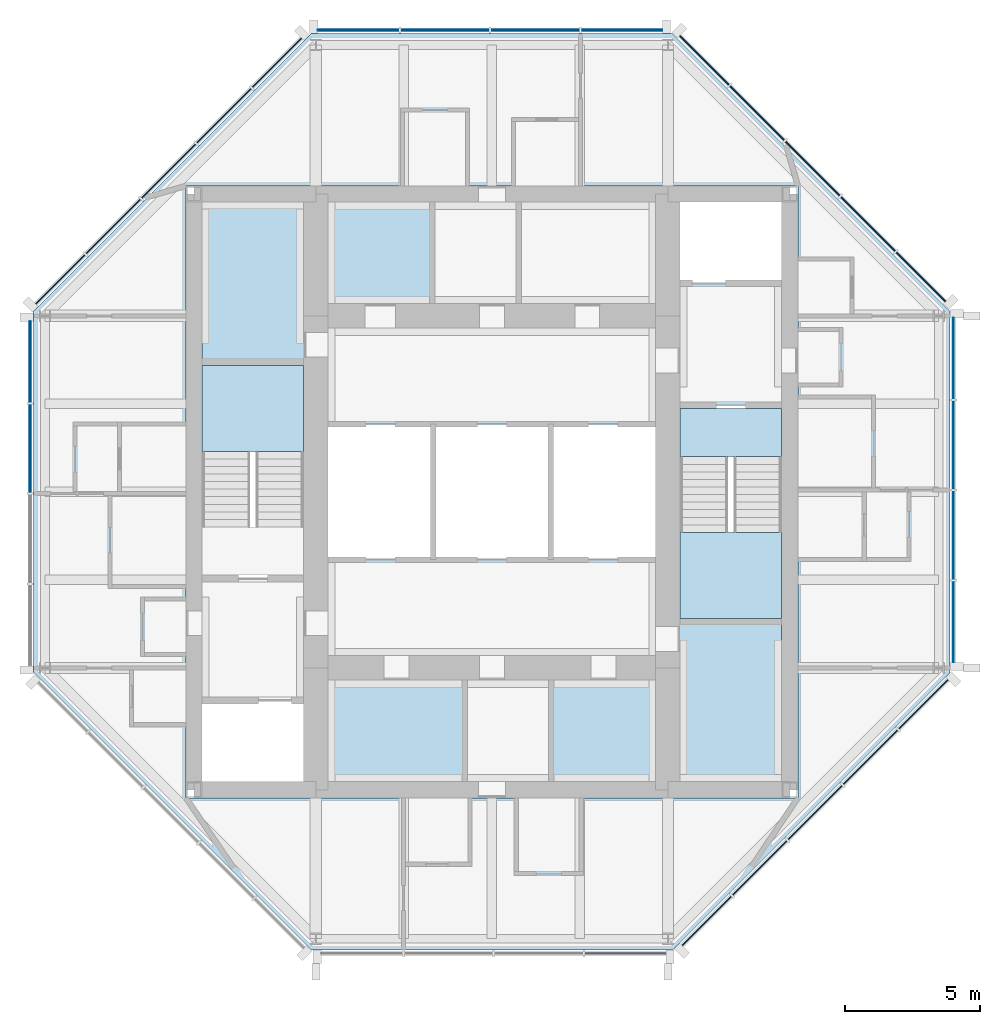
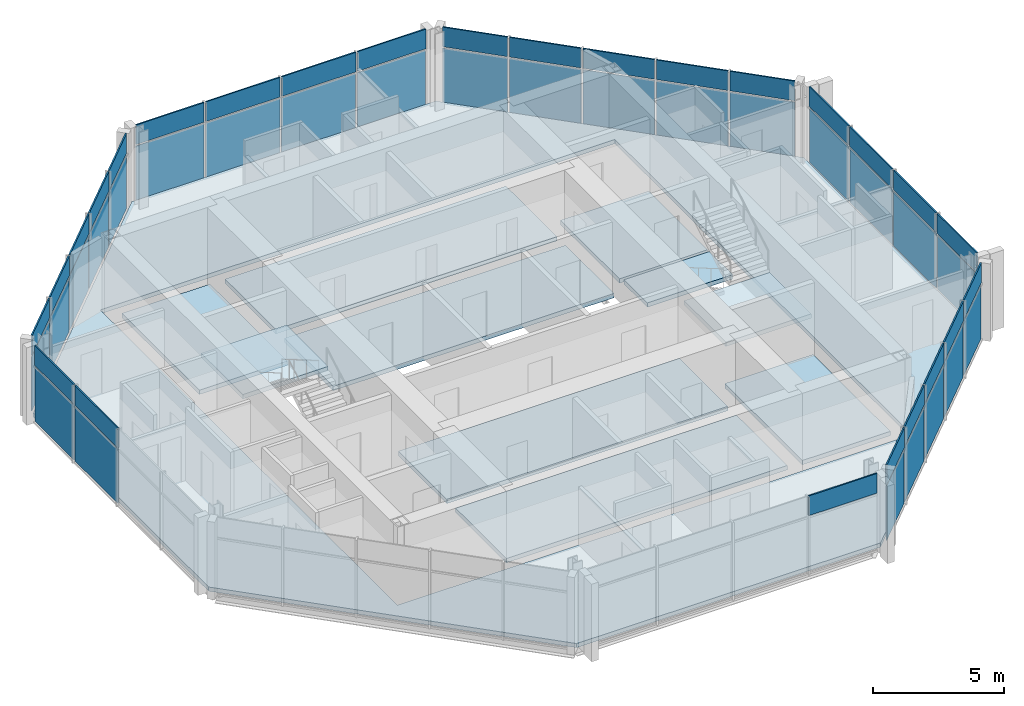
# One storey, part 4 of 9: 51 plates, 11 slabs, 9 elements without a shape of their own.
"""IFC4 building model written with IfcOpenShell, lengths in metres."""

from ifc_helpers import new_model, si_unit, direction, frame, origin, origin_2d, place, context, subcontext, project, spatial, polyline, rectangle, outline, extrude, material, layer, layer_set, type_object, element, aggregate, save


model = new_model("IFC4")

# Units and contexts
model_context = context("Model", 3, precision=1e-05, world=origin(), true_north=direction((0.0, 1.0)))
body_context = subcontext(model_context, "Body", "Model", "MODEL_VIEW")
ifc_project = project(units=[si_unit("LENGTHUNIT", "METRE"), si_unit("AREAUNIT", "SQUARE_METRE"), si_unit("VOLUMEUNIT", "CUBIC_METRE"), si_unit("PLANEANGLEUNIT", "RADIAN"), si_unit("MASSUNIT", "GRAM", prefix="KILO")], contexts=[model_context])

# Site, building, storey
site_placement = place(None, origin())
site = spatial("IfcSite", under=ifc_project, at=site_placement, CompositionType="ELEMENT")
building_placement = place(site_placement, origin())
building = spatial("IfcBuilding", under=site, at=building_placement, Name="Trevanion Tower", CompositionType="ELEMENT")
storey_placement = place(building_placement, frame((0.0, 0.0, 277.60009765625)))
storey = spatial("IfcBuildingStorey", under=building, at=storey_placement, Name="L68", CompositionType="ELEMENT", Elevation=277.60009765625)

# Curtain wall, plates
ifc_material_1 = material(Name="Aluminium and glass", Category="aluminium")
curtain_wall_type = type_object("IfcCurtainWallType", Name="CW4 curtain wall", PredefinedType="USERDEFINED", material=ifc_material_1)
curtain_wall_1_placement = place(storey_placement, origin())
curtain_wall_1 = element("IfcCurtainWall", 1, at=curtain_wall_1_placement, inside=storey, type_object=curtain_wall_type, Name="CW4 L68 0", ObjectType="UNITISED CURTAIN WALL", PredefinedType="USERDEFINED")
ifc_material_2 = material(Name="Aluminium spandrel panel", Category="aluminium")
ifc_layer_1 = layer(ifc_material_2, 0.06005859375)
ifc_layer_set_1 = layer_set([ifc_layer_1], Name="CW4 spandrel panel")
plate_type_1 = type_object("IfcPlateType", Name="CW4 spandrel panel", PredefinedType="CURTAIN_PANEL", material=ifc_layer_set_1)
plate_1_placement = place(storey_placement, frame((17.050048828125, -4.80078125, 2.497314453125), z_axis=(0.0, 0.0, 1.0), x_axis=(0.0, 1.0, 0.0)))
plate_1 = element("IfcPlate", 2, at=plate_1_placement, type_object=plate_type_1, Name="CW4 panel 1.2", PredefinedType="CURTAIN_PANEL", context=body_context, shape_type="SweptSolid", body=[
    extrude(rectangle(XDim=2.993896484375, YDim=0.06005859375, at=origin_2d()), origin(), (0.0, 0.0, 1.0), 0.91259765625),
])
plate_2_placement = place(storey_placement, frame((17.050048828125, -1.6005859375, 2.497314453125), z_axis=(0.0, 0.0, 1.0), x_axis=(0.0, 1.0, 0.0)))
plate_2 = element("IfcPlate", 3, at=plate_2_placement, type_object=plate_type_1, Name="CW4 panel 2.2", PredefinedType="CURTAIN_PANEL", context=body_context, shape_type="SweptSolid", body=[
    extrude(rectangle(XDim=3.25634765625, YDim=0.06005859375, at=origin_2d()), origin(), (0.0, 0.0, 1.0), 0.91259765625),
])
plate_3_placement = place(storey_placement, frame((17.050048828125, 1.730712890625, 2.497314453125), z_axis=(0.0, 0.0, 1.0), x_axis=(0.0, 1.0, 0.0)))
plate_3 = element("IfcPlate", 4, at=plate_3_placement, type_object=plate_type_1, Name="CW4 panel 3.2", PredefinedType="CURTAIN_PANEL", context=body_context, shape_type="SweptSolid", body=[
    extrude(rectangle(XDim=3.25634765625, YDim=0.06005859375, at=origin_2d()), origin(), (0.0, 0.0, 1.0), 0.91259765625),
])
plate_4_placement = place(storey_placement, frame((17.050048828125, 4.930908203125, 2.497314453125), z_axis=(0.0, 0.0, 1.0), x_axis=(0.0, 1.0, 0.0)))
plate_4 = element("IfcPlate", 5, at=plate_4_placement, type_object=plate_type_1, Name="CW4 panel 4.2", PredefinedType="CURTAIN_PANEL", context=body_context, shape_type="SweptSolid", body=[
    extrude(rectangle(XDim=2.993896484375, YDim=0.06005859375, at=origin_2d()), origin(), (0.0, 0.0, 1.0), 0.91259765625),
])

curtain_wall_2_placement = place(storey_placement, origin())
curtain_wall_2 = element("IfcCurtainWall", 6, at=curtain_wall_2_placement, inside=storey, type_object=curtain_wall_type, Name="CW4 L68 1", ObjectType="UNITISED CURTAIN WALL", PredefinedType="USERDEFINED")
plate_5_placement = place(storey_placement, frame((15.84228515625, 7.935546875, 2.497314453125), z_axis=(0.0, 0.0, 1.0), x_axis=(-0.707106781187, 0.707106781187, 0.0)))
plate_5 = element("IfcPlate", 7, at=plate_5_placement, type_object=plate_type_1, Name="CW4 panel 1.2", PredefinedType="CURTAIN_PANEL", context=body_context, shape_type="SweptSolid", body=[
    extrude(rectangle(XDim=2.55615234375, YDim=0.06005859375, at=origin_2d()), origin(), (0.0, 0.0, 1.0), 0.91259765625),
])
plate_6_placement = place(storey_placement, frame((13.888916015625, 9.888916015625, 2.497314453125), z_axis=(0.0, 0.0, 1.0), x_axis=(-0.707106781187, 0.707106781187, 0.0)))
plate_6 = element("IfcPlate", 8, at=plate_6_placement, type_object=plate_type_1, Name="CW4 panel 2.2", PredefinedType="CURTAIN_PANEL", context=body_context, shape_type="SweptSolid", body=[
    extrude(rectangle(XDim=2.818603515625, YDim=0.06005859375, at=origin_2d()), origin(), (0.0, 0.0, 1.0), 0.91259765625),
])
plate_7_placement = place(storey_placement, frame((11.843017578125, 11.934814453125, 2.497314453125), z_axis=(0.0, 0.0, 1.0), x_axis=(-0.707106781187, 0.707106781187, 0.0)))
plate_7 = element("IfcPlate", 9, at=plate_7_placement, type_object=plate_type_1, Name="CW4 panel 3.2", PredefinedType="CURTAIN_PANEL", context=body_context, shape_type="SweptSolid", body=[
    extrude(rectangle(XDim=2.818603515625, YDim=0.06005859375, at=origin_2d()), origin(), (0.0, 0.0, 1.0), 0.91259765625),
])
plate_8_placement = place(storey_placement, frame((9.796875, 13.98095703125, 2.497314453125), z_axis=(0.0, 0.0, 1.0), x_axis=(-0.707106781187, 0.707106781187, 0.0)))
plate_8 = element("IfcPlate", 10, at=plate_8_placement, type_object=plate_type_1, Name="CW4 panel 4.2", PredefinedType="CURTAIN_PANEL", context=body_context, shape_type="SweptSolid", body=[
    extrude(rectangle(XDim=2.818603515625, YDim=0.06005859375, at=origin_2d()), origin(), (0.0, 0.0, 1.0), 0.91259765625),
])
plate_9_placement = place(storey_placement, frame((7.84375, 15.93408203125, 2.497314453125), z_axis=(0.0, 0.0, 1.0), x_axis=(-0.707106781187, 0.707106781187, 0.0)))
plate_9 = element("IfcPlate", 11, at=plate_9_placement, type_object=plate_type_1, Name="CW4 panel 5.2", PredefinedType="CURTAIN_PANEL", context=body_context, shape_type="SweptSolid", body=[
    extrude(rectangle(XDim=2.55615234375, YDim=0.06005859375, at=origin_2d()), origin(), (0.0, 0.0, 1.0), 0.91259765625),
])

curtain_wall_3_placement = place(storey_placement, origin())
curtain_wall_3 = element("IfcCurtainWall", 12, at=curtain_wall_3_placement, inside=storey, type_object=curtain_wall_type, Name="CW4 L68 2", ObjectType="UNITISED CURTAIN WALL", PredefinedType="USERDEFINED")
plate_10_placement = place(storey_placement, frame((4.80078125, 17.050048828125, 2.497314453125), z_axis=(0.0, 0.0, 1.0), x_axis=(-1.0, 0.0, 0.0)))
plate_10 = element("IfcPlate", 13, at=plate_10_placement, type_object=plate_type_1, Name="CW4 panel 1.2", PredefinedType="CURTAIN_PANEL", context=body_context, shape_type="SweptSolid", body=[
    extrude(rectangle(XDim=2.993896484375, YDim=0.06005859375, at=origin_2d()), origin(), (0.0, 0.0, 1.0), 0.91259765625),
])
plate_11_placement = place(storey_placement, frame((1.6005859375, 17.050048828125, 2.497314453125), z_axis=(0.0, 0.0, 1.0), x_axis=(-1.0, 0.0, 0.0)))
plate_11 = element("IfcPlate", 14, at=plate_11_placement, type_object=plate_type_1, Name="CW4 panel 2.2", PredefinedType="CURTAIN_PANEL", context=body_context, shape_type="SweptSolid", body=[
    extrude(rectangle(XDim=3.25634765625, YDim=0.06005859375, at=origin_2d()), origin(), (0.0, 0.0, 1.0), 0.91259765625),
])
plate_12_placement = place(storey_placement, frame((-1.730712890625, 17.050048828125, 2.497314453125), z_axis=(0.0, 0.0, 1.0), x_axis=(-1.0, 0.0, 0.0)))
plate_12 = element("IfcPlate", 15, at=plate_12_placement, type_object=plate_type_1, Name="CW4 panel 3.2", PredefinedType="CURTAIN_PANEL", context=body_context, shape_type="SweptSolid", body=[
    extrude(rectangle(XDim=3.25634765625, YDim=0.06005859375, at=origin_2d()), origin(), (0.0, 0.0, 1.0), 0.91259765625),
])
plate_13_placement = place(storey_placement, frame((-4.930908203125, 17.050048828125, 2.497314453125), z_axis=(0.0, 0.0, 1.0), x_axis=(-1.0, 0.0, 0.0)))
plate_13 = element("IfcPlate", 16, at=plate_13_placement, type_object=plate_type_1, Name="CW4 panel 4.2", PredefinedType="CURTAIN_PANEL", context=body_context, shape_type="SweptSolid", body=[
    extrude(rectangle(XDim=2.993896484375, YDim=0.06005859375, at=origin_2d()), origin(), (0.0, 0.0, 1.0), 0.91259765625),
])

curtain_wall_4_placement = place(storey_placement, origin())
curtain_wall_4 = element("IfcCurtainWall", 17, at=curtain_wall_4_placement, inside=storey, type_object=curtain_wall_type, Name="CW4 L68 3", ObjectType="UNITISED CURTAIN WALL", PredefinedType="USERDEFINED")
plate_14_placement = place(storey_placement, frame((-7.935546875, 15.84228515625, 2.497314453125), z_axis=(0.0, 0.0, 1.0), x_axis=(-0.707106781187, -0.707106781187, 0.0)))
plate_14 = element("IfcPlate", 18, at=plate_14_placement, type_object=plate_type_1, Name="CW4 panel 1.2", PredefinedType="CURTAIN_PANEL", context=body_context, shape_type="SweptSolid", body=[
    extrude(rectangle(XDim=2.55615234375, YDim=0.06005859375, at=origin_2d()), origin(), (0.0, 0.0, 1.0), 0.91259765625),
])
plate_15_placement = place(storey_placement, frame((-9.888916015625, 13.888916015625, 2.497314453125), z_axis=(0.0, 0.0, 1.0), x_axis=(-0.707106781187, -0.707106781187, 0.0)))
plate_15 = element("IfcPlate", 19, at=plate_15_placement, type_object=plate_type_1, Name="CW4 panel 2.2", PredefinedType="CURTAIN_PANEL", context=body_context, shape_type="SweptSolid", body=[
    extrude(rectangle(XDim=2.818603515625, YDim=0.06005859375, at=origin_2d()), origin(), (0.0, 0.0, 1.0), 0.91259765625),
])
plate_16_placement = place(storey_placement, frame((-11.934814453125, 11.843017578125, 2.497314453125), z_axis=(0.0, 0.0, 1.0), x_axis=(-0.707106781187, -0.707106781187, 0.0)))
plate_16 = element("IfcPlate", 20, at=plate_16_placement, type_object=plate_type_1, Name="CW4 panel 3.2", PredefinedType="CURTAIN_PANEL", context=body_context, shape_type="SweptSolid", body=[
    extrude(rectangle(XDim=2.818603515625, YDim=0.06005859375, at=origin_2d()), origin(), (0.0, 0.0, 1.0), 0.91259765625),
])
plate_17_placement = place(storey_placement, frame((-13.98095703125, 9.796875, 2.497314453125), z_axis=(0.0, 0.0, 1.0), x_axis=(-0.707106781187, -0.707106781187, 0.0)))
plate_17 = element("IfcPlate", 21, at=plate_17_placement, type_object=plate_type_1, Name="CW4 panel 4.2", PredefinedType="CURTAIN_PANEL", context=body_context, shape_type="SweptSolid", body=[
    extrude(rectangle(XDim=2.818603515625, YDim=0.06005859375, at=origin_2d()), origin(), (0.0, 0.0, 1.0), 0.91259765625),
])
plate_18_placement = place(storey_placement, frame((-15.93408203125, 7.84375, 2.497314453125), z_axis=(0.0, 0.0, 1.0), x_axis=(-0.707106781187, -0.707106781187, 0.0)))
plate_18 = element("IfcPlate", 22, at=plate_18_placement, type_object=plate_type_1, Name="CW4 panel 5.2", PredefinedType="CURTAIN_PANEL", context=body_context, shape_type="SweptSolid", body=[
    extrude(rectangle(XDim=2.55615234375, YDim=0.06005859375, at=origin_2d()), origin(), (0.0, 0.0, 1.0), 0.91259765625),
])

curtain_wall_5_placement = place(storey_placement, origin())
curtain_wall_5 = element("IfcCurtainWall", 23, at=curtain_wall_5_placement, inside=storey, type_object=curtain_wall_type, Name="CW4 L68 4", ObjectType="UNITISED CURTAIN WALL", PredefinedType="USERDEFINED")
plate_19_placement = place(storey_placement, frame((-17.050048828125, 4.80078125, 2.497314453125), z_axis=(0.0, 0.0, 1.0), x_axis=(0.0, -1.0, 0.0)))
plate_19 = element("IfcPlate", 24, at=plate_19_placement, type_object=plate_type_1, Name="CW4 panel 1.2", PredefinedType="CURTAIN_PANEL", context=body_context, shape_type="SweptSolid", body=[
    extrude(rectangle(XDim=2.993896484375, YDim=0.06005859375, at=origin_2d()), origin(), (0.0, 0.0, 1.0), 0.91259765625),
])
plate_20_placement = place(storey_placement, frame((-17.050048828125, 1.6005859375, 2.497314453125), z_axis=(0.0, 0.0, 1.0), x_axis=(0.0, -1.0, 0.0)))
plate_20 = element("IfcPlate", 25, at=plate_20_placement, type_object=plate_type_1, Name="CW4 panel 2.2", PredefinedType="CURTAIN_PANEL", context=body_context, shape_type="SweptSolid", body=[
    extrude(rectangle(XDim=3.25634765625, YDim=0.06005859375, at=origin_2d()), origin(), (0.0, 0.0, 1.0), 0.91259765625),
])

# Curtain wall, plate
curtain_wall_6_placement = place(storey_placement, origin())
curtain_wall_6 = element("IfcCurtainWall", 26, at=curtain_wall_6_placement, inside=storey, type_object=curtain_wall_type, Name="CW4 L68 6", ObjectType="UNITISED CURTAIN WALL", PredefinedType="USERDEFINED")
plate_21_placement = place(storey_placement, frame((4.930908203125, -17.050048828125, 2.497314453125), z_axis=(0.0, 0.0, 1.0), x_axis=(1.0, 0.0, 0.0)))
plate_21 = element("IfcPlate", 27, at=plate_21_placement, type_object=plate_type_1, Name="CW4 panel 4.2", PredefinedType="CURTAIN_PANEL", context=body_context, shape_type="SweptSolid", body=[
    extrude(rectangle(XDim=2.993896484375, YDim=0.06005859375, at=origin_2d()), origin(), (0.0, 0.0, 1.0), 0.91259765625),
])
aggregate(curtain_wall_6, [plate_21])

# Curtain wall, plates
curtain_wall_7_placement = place(storey_placement, origin())
curtain_wall_7 = element("IfcCurtainWall", 28, at=curtain_wall_7_placement, inside=storey, type_object=curtain_wall_type, Name="CW4 L68 7", ObjectType="UNITISED CURTAIN WALL", PredefinedType="USERDEFINED")
plate_22_placement = place(storey_placement, frame((7.935546875, -15.84228515625, 2.497314453125), z_axis=(0.0, 0.0, 1.0), x_axis=(0.707106781187, 0.707106781187, 0.0)))
plate_22 = element("IfcPlate", 29, at=plate_22_placement, type_object=plate_type_1, Name="CW4 panel 1.2", PredefinedType="CURTAIN_PANEL", context=body_context, shape_type="SweptSolid", body=[
    extrude(rectangle(XDim=2.55615234375, YDim=0.06005859375, at=origin_2d()), origin(), (0.0, 0.0, 1.0), 0.91259765625),
])
plate_23_placement = place(storey_placement, frame((9.888916015625, -13.888916015625, 2.497314453125), z_axis=(0.0, 0.0, 1.0), x_axis=(0.707106781187, 0.707106781187, 0.0)))
plate_23 = element("IfcPlate", 30, at=plate_23_placement, type_object=plate_type_1, Name="CW4 panel 2.2", PredefinedType="CURTAIN_PANEL", context=body_context, shape_type="SweptSolid", body=[
    extrude(rectangle(XDim=2.818603515625, YDim=0.06005859375, at=origin_2d()), origin(), (0.0, 0.0, 1.0), 0.91259765625),
])
plate_24_placement = place(storey_placement, frame((11.934814453125, -11.843017578125, 2.497314453125), z_axis=(0.0, 0.0, 1.0), x_axis=(0.707106781187, 0.707106781187, 0.0)))
plate_24 = element("IfcPlate", 31, at=plate_24_placement, type_object=plate_type_1, Name="CW4 panel 3.2", PredefinedType="CURTAIN_PANEL", context=body_context, shape_type="SweptSolid", body=[
    extrude(rectangle(XDim=2.818603515625, YDim=0.06005859375, at=origin_2d()), origin(), (0.0, 0.0, 1.0), 0.91259765625),
])
plate_25_placement = place(storey_placement, frame((13.98095703125, -9.796875, 2.497314453125), z_axis=(0.0, 0.0, 1.0), x_axis=(0.707106781187, 0.707106781187, 0.0)))
plate_25 = element("IfcPlate", 32, at=plate_25_placement, type_object=plate_type_1, Name="CW4 panel 4.2", PredefinedType="CURTAIN_PANEL", context=body_context, shape_type="SweptSolid", body=[
    extrude(rectangle(XDim=2.818603515625, YDim=0.06005859375, at=origin_2d()), origin(), (0.0, 0.0, 1.0), 0.91259765625),
])
plate_26_placement = place(storey_placement, frame((15.93408203125, -7.84375, 2.497314453125), z_axis=(0.0, 0.0, 1.0), x_axis=(0.707106781187, 0.707106781187, 0.0)))
plate_26 = element("IfcPlate", 33, at=plate_26_placement, type_object=plate_type_1, Name="CW4 panel 5.2", PredefinedType="CURTAIN_PANEL", context=body_context, shape_type="SweptSolid", body=[
    extrude(rectangle(XDim=2.55615234375, YDim=0.06005859375, at=origin_2d()), origin(), (0.0, 0.0, 1.0), 0.91259765625),
])

# Plate
ifc_material_3 = material(Name="Insulating glass unit", Category="glass")
ifc_layer_2 = layer(ifc_material_3, 0.028076171875)
ifc_layer_set_2 = layer_set([ifc_layer_2], Name="CW4 vision panel")
plate_type_2 = type_object("IfcPlateType", Name="CW4 vision panel", PredefinedType="CURTAIN_PANEL", material=ifc_layer_set_2)
plate_27_placement = place(storey_placement, frame((17.050048828125, -4.80078125, -0.114990234375), z_axis=(0.0, 0.0, 1.0), x_axis=(0.0, 1.0, 0.0)))
plate_27 = element("IfcPlate", 34, at=plate_27_placement, type_object=plate_type_2, Name="CW4 panel 1.1", PredefinedType="CURTAIN_PANEL", context=body_context, shape_type="SweptSolid", body=[
    extrude(rectangle(XDim=2.993896484375, YDim=0.028076171875, at=origin_2d()), origin(), (0.0, 0.0, 1.0), 2.53759765625),
])

plate_28_placement = place(storey_placement, frame((17.050048828125, -1.6005859375, -0.114990234375), z_axis=(0.0, 0.0, 1.0), x_axis=(0.0, 1.0, 0.0)))
plate_28 = element("IfcPlate", 35, at=plate_28_placement, type_object=plate_type_2, Name="CW4 panel 2.1", PredefinedType="CURTAIN_PANEL", context=body_context, shape_type="SweptSolid", body=[
    extrude(rectangle(XDim=3.25634765625, YDim=0.028076171875, at=origin_2d()), origin(), (0.0, 0.0, 1.0), 2.53759765625),
])

plate_29_placement = place(storey_placement, frame((17.050048828125, 1.730712890625, -0.114990234375), z_axis=(0.0, 0.0, 1.0), x_axis=(0.0, 1.0, 0.0)))
plate_29 = element("IfcPlate", 36, at=plate_29_placement, type_object=plate_type_2, Name="CW4 panel 3.1", PredefinedType="CURTAIN_PANEL", context=body_context, shape_type="SweptSolid", body=[
    extrude(rectangle(XDim=3.25634765625, YDim=0.028076171875, at=origin_2d()), origin(), (0.0, 0.0, 1.0), 2.53759765625),
])

plate_30_placement = place(storey_placement, frame((17.050048828125, 4.930908203125, -0.114990234375), z_axis=(0.0, 0.0, 1.0), x_axis=(0.0, 1.0, 0.0)))
plate_30 = element("IfcPlate", 37, at=plate_30_placement, type_object=plate_type_2, Name="CW4 panel 4.1", PredefinedType="CURTAIN_PANEL", context=body_context, shape_type="SweptSolid", body=[
    extrude(rectangle(XDim=2.993896484375, YDim=0.028076171875, at=origin_2d()), origin(), (0.0, 0.0, 1.0), 2.53759765625),
])

aggregate(curtain_wall_1, [plate_27, plate_1, plate_28, plate_2, plate_29, plate_3, plate_30, plate_4])

plate_31_placement = place(storey_placement, frame((15.84228515625, 7.935546875, -0.114990234375), z_axis=(0.0, 0.0, 1.0), x_axis=(-0.707106781187, 0.707106781187, 0.0)))
plate_31 = element("IfcPlate", 38, at=plate_31_placement, type_object=plate_type_2, Name="CW4 panel 1.1", PredefinedType="CURTAIN_PANEL", context=body_context, shape_type="SweptSolid", body=[
    extrude(rectangle(XDim=2.55615234375, YDim=0.028076171875, at=origin_2d()), origin(), (0.0, 0.0, 1.0), 2.53759765625),
])

plate_32_placement = place(storey_placement, frame((13.888916015625, 9.888916015625, -0.114990234375), z_axis=(0.0, 0.0, 1.0), x_axis=(-0.707106781187, 0.707106781187, 0.0)))
plate_32 = element("IfcPlate", 39, at=plate_32_placement, type_object=plate_type_2, Name="CW4 panel 2.1", PredefinedType="CURTAIN_PANEL", context=body_context, shape_type="SweptSolid", body=[
    extrude(rectangle(XDim=2.818603515625, YDim=0.028076171875, at=origin_2d()), origin(), (0.0, 0.0, 1.0), 2.53759765625),
])

plate_33_placement = place(storey_placement, frame((11.843017578125, 11.934814453125, -0.114990234375), z_axis=(0.0, 0.0, 1.0), x_axis=(-0.707106781187, 0.707106781187, 0.0)))
plate_33 = element("IfcPlate", 40, at=plate_33_placement, type_object=plate_type_2, Name="CW4 panel 3.1", PredefinedType="CURTAIN_PANEL", context=body_context, shape_type="SweptSolid", body=[
    extrude(rectangle(XDim=2.818603515625, YDim=0.028076171875, at=origin_2d()), origin(), (0.0, 0.0, 1.0), 2.53759765625),
])

plate_34_placement = place(storey_placement, frame((9.796875, 13.98095703125, -0.114990234375), z_axis=(0.0, 0.0, 1.0), x_axis=(-0.707106781187, 0.707106781187, 0.0)))
plate_34 = element("IfcPlate", 41, at=plate_34_placement, type_object=plate_type_2, Name="CW4 panel 4.1", PredefinedType="CURTAIN_PANEL", context=body_context, shape_type="SweptSolid", body=[
    extrude(rectangle(XDim=2.818603515625, YDim=0.028076171875, at=origin_2d()), origin(), (0.0, 0.0, 1.0), 2.53759765625),
])

plate_35_placement = place(storey_placement, frame((7.84375, 15.93408203125, -0.114990234375), z_axis=(0.0, 0.0, 1.0), x_axis=(-0.707106781187, 0.707106781187, 0.0)))
plate_35 = element("IfcPlate", 42, at=plate_35_placement, type_object=plate_type_2, Name="CW4 panel 5.1", PredefinedType="CURTAIN_PANEL", context=body_context, shape_type="SweptSolid", body=[
    extrude(rectangle(XDim=2.55615234375, YDim=0.028076171875, at=origin_2d()), origin(), (0.0, 0.0, 1.0), 2.53759765625),
])

aggregate(curtain_wall_2, [plate_31, plate_5, plate_32, plate_6, plate_33, plate_7, plate_34, plate_8, plate_35, plate_9])

plate_36_placement = place(storey_placement, frame((4.80078125, 17.050048828125, -0.114990234375), z_axis=(0.0, 0.0, 1.0), x_axis=(-1.0, 0.0, 0.0)))
plate_36 = element("IfcPlate", 43, at=plate_36_placement, type_object=plate_type_2, Name="CW4 panel 1.1", PredefinedType="CURTAIN_PANEL", context=body_context, shape_type="SweptSolid", body=[
    extrude(rectangle(XDim=2.993896484375, YDim=0.028076171875, at=origin_2d()), origin(), (0.0, 0.0, 1.0), 2.53759765625),
])

plate_37_placement = place(storey_placement, frame((1.6005859375, 17.050048828125, -0.114990234375), z_axis=(0.0, 0.0, 1.0), x_axis=(-1.0, 0.0, 0.0)))
plate_37 = element("IfcPlate", 44, at=plate_37_placement, type_object=plate_type_2, Name="CW4 panel 2.1", PredefinedType="CURTAIN_PANEL", context=body_context, shape_type="SweptSolid", body=[
    extrude(rectangle(XDim=3.25634765625, YDim=0.028076171875, at=origin_2d()), origin(), (0.0, 0.0, 1.0), 2.53759765625),
])

plate_38_placement = place(storey_placement, frame((-1.730712890625, 17.050048828125, -0.114990234375), z_axis=(0.0, 0.0, 1.0), x_axis=(-1.0, 0.0, 0.0)))
plate_38 = element("IfcPlate", 45, at=plate_38_placement, type_object=plate_type_2, Name="CW4 panel 3.1", PredefinedType="CURTAIN_PANEL", context=body_context, shape_type="SweptSolid", body=[
    extrude(rectangle(XDim=3.25634765625, YDim=0.028076171875, at=origin_2d()), origin(), (0.0, 0.0, 1.0), 2.53759765625),
])

plate_39_placement = place(storey_placement, frame((-4.930908203125, 17.050048828125, -0.114990234375), z_axis=(0.0, 0.0, 1.0), x_axis=(-1.0, 0.0, 0.0)))
plate_39 = element("IfcPlate", 46, at=plate_39_placement, type_object=plate_type_2, Name="CW4 panel 4.1", PredefinedType="CURTAIN_PANEL", context=body_context, shape_type="SweptSolid", body=[
    extrude(rectangle(XDim=2.993896484375, YDim=0.028076171875, at=origin_2d()), origin(), (0.0, 0.0, 1.0), 2.53759765625),
])

aggregate(curtain_wall_3, [plate_36, plate_10, plate_37, plate_11, plate_38, plate_12, plate_39, plate_13])

plate_40_placement = place(storey_placement, frame((-7.935546875, 15.84228515625, -0.114990234375), z_axis=(0.0, 0.0, 1.0), x_axis=(-0.707106781187, -0.707106781187, 0.0)))
plate_40 = element("IfcPlate", 47, at=plate_40_placement, type_object=plate_type_2, Name="CW4 panel 1.1", PredefinedType="CURTAIN_PANEL", context=body_context, shape_type="SweptSolid", body=[
    extrude(rectangle(XDim=2.55615234375, YDim=0.028076171875, at=origin_2d()), origin(), (0.0, 0.0, 1.0), 2.53759765625),
])

plate_41_placement = place(storey_placement, frame((-9.888916015625, 13.888916015625, -0.114990234375), z_axis=(0.0, 0.0, 1.0), x_axis=(-0.707106781187, -0.707106781187, 0.0)))
plate_41 = element("IfcPlate", 48, at=plate_41_placement, type_object=plate_type_2, Name="CW4 panel 2.1", PredefinedType="CURTAIN_PANEL", context=body_context, shape_type="SweptSolid", body=[
    extrude(rectangle(XDim=2.818603515625, YDim=0.028076171875, at=origin_2d()), origin(), (0.0, 0.0, 1.0), 2.53759765625),
])

plate_42_placement = place(storey_placement, frame((-11.934814453125, 11.843017578125, -0.114990234375), z_axis=(0.0, 0.0, 1.0), x_axis=(-0.707106781187, -0.707106781187, 0.0)))
plate_42 = element("IfcPlate", 49, at=plate_42_placement, type_object=plate_type_2, Name="CW4 panel 3.1", PredefinedType="CURTAIN_PANEL", context=body_context, shape_type="SweptSolid", body=[
    extrude(rectangle(XDim=2.818603515625, YDim=0.028076171875, at=origin_2d()), origin(), (0.0, 0.0, 1.0), 2.53759765625),
])

plate_43_placement = place(storey_placement, frame((-13.98095703125, 9.796875, -0.114990234375), z_axis=(0.0, 0.0, 1.0), x_axis=(-0.707106781187, -0.707106781187, 0.0)))
plate_43 = element("IfcPlate", 50, at=plate_43_placement, type_object=plate_type_2, Name="CW4 panel 4.1", PredefinedType="CURTAIN_PANEL", context=body_context, shape_type="SweptSolid", body=[
    extrude(rectangle(XDim=2.818603515625, YDim=0.028076171875, at=origin_2d()), origin(), (0.0, 0.0, 1.0), 2.53759765625),
])

plate_44_placement = place(storey_placement, frame((-15.93408203125, 7.84375, -0.114990234375), z_axis=(0.0, 0.0, 1.0), x_axis=(-0.707106781187, -0.707106781187, 0.0)))
plate_44 = element("IfcPlate", 51, at=plate_44_placement, type_object=plate_type_2, Name="CW4 panel 5.1", PredefinedType="CURTAIN_PANEL", context=body_context, shape_type="SweptSolid", body=[
    extrude(rectangle(XDim=2.55615234375, YDim=0.028076171875, at=origin_2d()), origin(), (0.0, 0.0, 1.0), 2.53759765625),
])

aggregate(curtain_wall_4, [plate_40, plate_14, plate_41, plate_15, plate_42, plate_16, plate_43, plate_17, plate_44, plate_18])

plate_45_placement = place(storey_placement, frame((-17.050048828125, 4.80078125, -0.114990234375), z_axis=(0.0, 0.0, 1.0), x_axis=(0.0, -1.0, 0.0)))
plate_45 = element("IfcPlate", 52, at=plate_45_placement, type_object=plate_type_2, Name="CW4 panel 1.1", PredefinedType="CURTAIN_PANEL", context=body_context, shape_type="SweptSolid", body=[
    extrude(rectangle(XDim=2.993896484375, YDim=0.028076171875, at=origin_2d()), origin(), (0.0, 0.0, 1.0), 2.53759765625),
])

plate_46_placement = place(storey_placement, frame((-17.050048828125, 1.6005859375, -0.114990234375), z_axis=(0.0, 0.0, 1.0), x_axis=(0.0, -1.0, 0.0)))
plate_46 = element("IfcPlate", 53, at=plate_46_placement, type_object=plate_type_2, Name="CW4 panel 2.1", PredefinedType="CURTAIN_PANEL", context=body_context, shape_type="SweptSolid", body=[
    extrude(rectangle(XDim=3.25634765625, YDim=0.028076171875, at=origin_2d()), origin(), (0.0, 0.0, 1.0), 2.53759765625),
])

aggregate(curtain_wall_5, [plate_45, plate_19, plate_46, plate_20])

plate_47_placement = place(storey_placement, frame((7.935546875, -15.84228515625, -0.114990234375), z_axis=(0.0, 0.0, 1.0), x_axis=(0.707106781187, 0.707106781187, 0.0)))
plate_47 = element("IfcPlate", 54, at=plate_47_placement, type_object=plate_type_2, Name="CW4 panel 1.1", PredefinedType="CURTAIN_PANEL", context=body_context, shape_type="SweptSolid", body=[
    extrude(rectangle(XDim=2.55615234375, YDim=0.028076171875, at=origin_2d()), origin(), (0.0, 0.0, 1.0), 2.53759765625),
])

plate_48_placement = place(storey_placement, frame((9.888916015625, -13.888916015625, -0.114990234375), z_axis=(0.0, 0.0, 1.0), x_axis=(0.707106781187, 0.707106781187, 0.0)))
plate_48 = element("IfcPlate", 55, at=plate_48_placement, type_object=plate_type_2, Name="CW4 panel 2.1", PredefinedType="CURTAIN_PANEL", context=body_context, shape_type="SweptSolid", body=[
    extrude(rectangle(XDim=2.818603515625, YDim=0.028076171875, at=origin_2d()), origin(), (0.0, 0.0, 1.0), 2.53759765625),
])

plate_49_placement = place(storey_placement, frame((11.934814453125, -11.843017578125, -0.114990234375), z_axis=(0.0, 0.0, 1.0), x_axis=(0.707106781187, 0.707106781187, 0.0)))
plate_49 = element("IfcPlate", 56, at=plate_49_placement, type_object=plate_type_2, Name="CW4 panel 3.1", PredefinedType="CURTAIN_PANEL", context=body_context, shape_type="SweptSolid", body=[
    extrude(rectangle(XDim=2.818603515625, YDim=0.028076171875, at=origin_2d()), origin(), (0.0, 0.0, 1.0), 2.53759765625),
])

plate_50_placement = place(storey_placement, frame((13.98095703125, -9.796875, -0.114990234375), z_axis=(0.0, 0.0, 1.0), x_axis=(0.707106781187, 0.707106781187, 0.0)))
plate_50 = element("IfcPlate", 57, at=plate_50_placement, type_object=plate_type_2, Name="CW4 panel 4.1", PredefinedType="CURTAIN_PANEL", context=body_context, shape_type="SweptSolid", body=[
    extrude(rectangle(XDim=2.818603515625, YDim=0.028076171875, at=origin_2d()), origin(), (0.0, 0.0, 1.0), 2.53759765625),
])

plate_51_placement = place(storey_placement, frame((15.93408203125, -7.84375, -0.114990234375), z_axis=(0.0, 0.0, 1.0), x_axis=(0.707106781187, 0.707106781187, 0.0)))
plate_51 = element("IfcPlate", 58, at=plate_51_placement, type_object=plate_type_2, Name="CW4 panel 5.1", PredefinedType="CURTAIN_PANEL", context=body_context, shape_type="SweptSolid", body=[
    extrude(rectangle(XDim=2.55615234375, YDim=0.028076171875, at=origin_2d()), origin(), (0.0, 0.0, 1.0), 2.53759765625),
])

aggregate(curtain_wall_7, [plate_47, plate_22, plate_48, plate_23, plate_49, plate_24, plate_50, plate_25, plate_51, plate_26])

# Slabs
ifc_material_4 = material(Name="Concrete 5,000 psi on composite metal deck", Category="concrete")
ifc_layer_3 = layer(ifc_material_4, 0.18994140625)
ifc_layer_set_3 = layer_set([ifc_layer_3], Name="SL1 composite floor 190")
slab_type_1 = type_object("IfcSlabType", Name="SL1 composite floor 190", PredefinedType="FLOOR", material=ifc_layer_set_3)
slab_1_placement = place(storey_placement, frame((0.0, 0.0, -0.190185546875)))
element("IfcSlab", 59, at=slab_1_placement, inside=storey, type_object=slab_type_1, Name="SL1 L68 floor", PredefinedType="FLOOR", context=body_context, shape_type="SweptSolid", body=[
    extrude(outline(polyline([(16.919921875, -6.674072265625), (16.919921875, 6.674072265625), (6.674072265625, 16.919921875), (-6.674072265625, 16.919921875), (-16.919921875, 6.674072265625), (-16.919921875, -6.674072265625), (-6.674072265625, -16.919921875), (6.674072265625, -16.919921875), (16.919921875, -6.674072265625)]), holes=[polyline([(11.300048828125, -11.300048828125), (11.300048828125, 11.300048828125), (-11.300048828125, 11.300048828125), (-11.300048828125, -11.300048828125), (11.300048828125, -11.300048828125)])]), origin(), (0.0, 0.0, 1.0), 0.190185546875),
])
ifc_material_5 = material(Name="Concrete 5,000 psi", Category="concrete")
ifc_layer_4 = layer(ifc_material_5, 0.199951171875)
ifc_layer_set_4 = layer_set([ifc_layer_4], Name="SL2 core floor 200")
slab_type_2 = type_object("IfcSlabType", Name="SL2 core floor 200", PredefinedType="FLOOR", material=ifc_layer_set_4)
slab_2_placement = place(storey_placement, frame((0.0, 0.0, -0.2001953125)))
element("IfcSlab", 60, at=slab_2_placement, inside=storey, type_object=slab_type_2, Name="SL2 L68 core floor 1", PredefinedType="FLOOR", context=body_context, shape_type="SweptSolid", body=[
    extrude(outline(polyline([(6.169921875, -10.699951171875), (-6.169921875, -10.699951171875), (-6.169921875, -6.830078125), (6.169921875, -6.830078125), (6.169921875, -10.699951171875)])), origin(), (0.0, 0.0, 1.0), 0.2001953125),
])
slab_3_placement = place(storey_placement, frame((0.0, 0.0, -0.2001953125)))
element("IfcSlab", 61, at=slab_3_placement, inside=storey, type_object=slab_type_2, Name="SL2 L68 core floor 2", PredefinedType="FLOOR", context=body_context, shape_type="SweptSolid", body=[
    extrude(outline(polyline([(6.830078125, -4.804931640625), (10.699951171875, -4.804931640625), (10.699951171875, -10.699951171875), (6.830078125, -10.699951171875), (6.830078125, -4.804931640625)])), origin(), (0.0, 0.0, 1.0), 0.2001953125),
])
slab_4_placement = place(storey_placement, frame((0.0, 0.0, -0.2001953125)))
element("IfcSlab", 62, at=slab_4_placement, inside=storey, type_object=slab_type_2, Name="SL2 L68 core floor 4", PredefinedType="FLOOR", context=body_context, shape_type="SweptSolid", body=[
    extrude(outline(polyline([(6.169921875, -6.169921875), (-6.169921875, -6.169921875), (-6.169921875, -2.47998046875), (6.169921875, -2.47998046875), (6.169921875, -6.169921875)])), origin(), (0.0, 0.0, 1.0), 0.2001953125),
])
slab_5_placement = place(storey_placement, frame((0.0, 0.0, -0.2001953125)))
element("IfcSlab", 63, at=slab_5_placement, inside=storey, type_object=slab_type_2, Name="SL2 L68 core floor 5", PredefinedType="FLOOR", context=body_context, shape_type="SweptSolid", body=[
    extrude(outline(polyline([(6.169921875, 2.47998046875), (-6.169921875, 2.47998046875), (-6.169921875, 6.169921875), (6.169921875, 6.169921875), (6.169921875, 2.47998046875)])), origin(), (0.0, 0.0, 1.0), 0.2001953125),
])
slab_6_placement = place(storey_placement, frame((0.0, 0.0, -0.2001953125)))
element("IfcSlab", 64, at=slab_6_placement, inside=storey, type_object=slab_type_2, Name="SL2 L68 core floor 6", PredefinedType="FLOOR", context=body_context, shape_type="SweptSolid", body=[
    extrude(outline(polyline([(6.830078125, 3.205078125), (6.830078125, 7.695068359375), (10.699951171875, 7.695068359375), (10.699951171875, 3.205078125), (6.830078125, 3.205078125)])), origin(), (0.0, 0.0, 1.0), 0.2001953125),
])
slab_7_placement = place(storey_placement, frame((0.0, 0.0, -0.2001953125)))
element("IfcSlab", 65, at=slab_7_placement, inside=storey, type_object=slab_type_2, Name="SL2 L68 core floor 7", PredefinedType="FLOOR", context=body_context, shape_type="SweptSolid", body=[
    extrude(outline(polyline([(-6.830078125, 4.804931640625), (-10.699951171875, 4.804931640625), (-10.699951171875, 10.699951171875), (-6.830078125, 10.699951171875), (-6.830078125, 4.804931640625)])), origin(), (0.0, 0.0, 1.0), 0.2001953125),
])
slab_8_placement = place(storey_placement, frame((0.0, 0.0, -0.2001953125)))
element("IfcSlab", 66, at=slab_8_placement, inside=storey, type_object=slab_type_2, Name="SL2 L68 core floor 8", PredefinedType="FLOOR", context=body_context, shape_type="SweptSolid", body=[
    extrude(outline(polyline([(6.169921875, 6.830078125), (-6.169921875, 6.830078125), (-6.169921875, 10.699951171875), (6.169921875, 10.699951171875), (6.169921875, 6.830078125)])), origin(), (0.0, 0.0, 1.0), 0.2001953125),
])

# Stair, slabs
ifc_material_6 = material(Name="Concrete 5,000 psi on steel stringers", Category="concrete")
stair_type = type_object("IfcStairType", Name="ST stair", PredefinedType="HALF_TURN_STAIR", material=ifc_material_6)
stair_1_placement = place(storey_placement, origin())
stair_1 = element("IfcStair", 67, at=stair_1_placement, inside=storey, type_object=stair_type, Name="ST1 L68", PredefinedType="HALF_TURN_STAIR")
ifc_material_7 = material(Name="Concrete 5,000 psi in steel pan", Category="concrete")
ifc_layer_5 = layer(ifc_material_7, 0.199951171875)
ifc_layer_set_5 = layer_set([ifc_layer_5], Name="STL stair landing 200")
slab_type_3 = type_object("IfcSlabType", Name="STL stair landing 200", PredefinedType="LANDING", material=ifc_layer_set_5)
slab_9_placement = place(storey_placement, frame((0.0, 0.0, -0.2001953125)))
slab_9 = element("IfcSlab", 68, at=slab_9_placement, type_object=slab_type_3, Name="ST1 landing 1", PredefinedType="LANDING", context=body_context, shape_type="SweptSolid", body=[
    extrude(outline(polyline([(6.949951171875, 1.300048828125), (10.699951171875, 1.300048828125), (10.699951171875, 3.074951171875), (6.949951171875, 3.074951171875), (6.949951171875, 1.300048828125)])), origin(), (0.0, 0.0, 1.0), 0.2001953125),
])
slab_10_placement = place(storey_placement, frame((0.0, 0.0, 1.599853515625)))
slab_10 = element("IfcSlab", 69, at=slab_10_placement, type_object=slab_type_3, Name="ST1 landing 2", PredefinedType="LANDING", context=body_context, shape_type="SweptSolid", body=[
    extrude(outline(polyline([(6.949951171875, -4.675048828125), (10.699951171875, -4.675048828125), (10.699951171875, -1.5), (6.949951171875, -1.5), (6.949951171875, -4.675048828125)])), origin(), (0.0, 0.0, 1.0), 0.199951171875),
])
aggregate(stair_1, [slab_9, slab_10])

# Stair, slab
stair_2_placement = place(storey_placement, origin())
stair_2 = element("IfcStair", 70, at=stair_2_placement, inside=storey, type_object=stair_type, Name="ST2 L68", PredefinedType="HALF_TURN_STAIR")
slab_11_placement = place(storey_placement, frame((0.0, 0.0, 1.599853515625)))
slab_11 = element("IfcSlab", 71, at=slab_11_placement, type_object=slab_type_3, Name="ST2 landing 2", PredefinedType="LANDING", context=body_context, shape_type="SweptSolid", body=[
    extrude(outline(polyline([(-6.949951171875, 4.675048828125), (-10.699951171875, 4.675048828125), (-10.699951171875, 1.5), (-6.949951171875, 1.5), (-6.949951171875, 4.675048828125)])), origin(), (0.0, 0.0, 1.0), 0.199951171875),
])
aggregate(stair_2, [slab_11])

save(model, "model.ifc")
